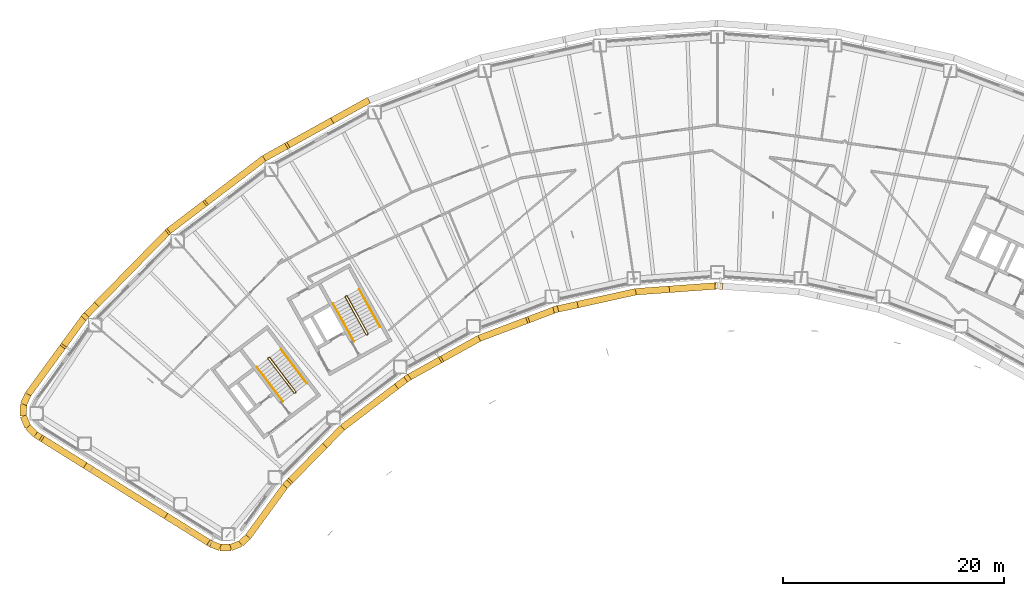
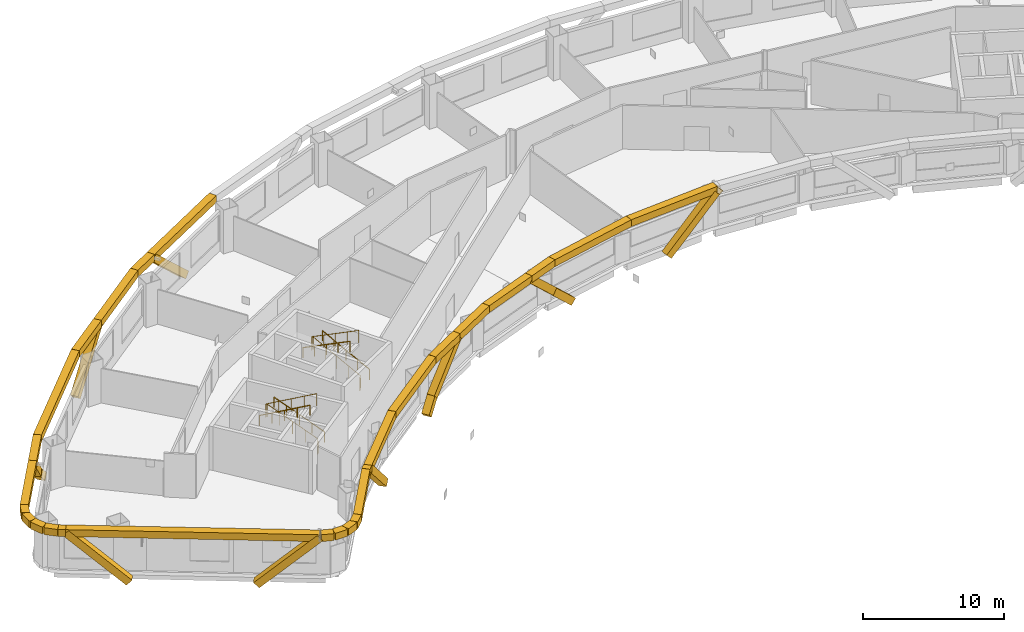
# One storey, part 16 of 19: 40 coverings, 6 railings.
"""IFC4 building model written with IfcOpenShell, lengths in metres."""

from ifc_helpers import new_model, si_unit, direction, frame, origin, origin_2d, place, context, subcontext, project, spatial, rectangle, circle, extrude, material, material_profile, profile_set, type_object, element, save


model = new_model("IFC4")

# Units and contexts
model_context = context("Model", 3, precision=1e-05, world=origin(), true_north=direction((0.0, 1.0)))
body_context = subcontext(model_context, "Body", "Model", "MODEL_VIEW")
ifc_project = project(units=[si_unit("LENGTHUNIT", "METRE"), si_unit("AREAUNIT", "SQUARE_METRE"), si_unit("VOLUMEUNIT", "CUBIC_METRE"), si_unit("PLANEANGLEUNIT", "RADIAN"), si_unit("MASSUNIT", "GRAM", prefix="KILO")], contexts=[model_context])

# Site, building, storey
site_placement = place(None, origin())
site = spatial("IfcSite", under=ifc_project, at=site_placement, CompositionType="ELEMENT")
building_placement = place(site_placement, origin())
building = spatial("IfcBuilding", under=site, at=building_placement, Name="Tuul Gate Civic Tower", CompositionType="ELEMENT")
storey_placement = place(building_placement, frame((0.0, 0.0, 90.60009765625)))
storey = spatial("IfcBuildingStorey", under=building, at=storey_placement, Name="Level 20", CompositionType="ELEMENT", Elevation=90.60009765625)

# Railings
ifc_material_1 = material(Name="Painted steel", Category="steel")
railing_type_1 = type_object("IfcRailingType", Name="Stair guard", PredefinedType="GUARDRAIL", material=ifc_material_1)
railing_1_placement = place(storey_placement, frame((-33.382080078125, -13.515380859375, 0.0)))
element("IfcRailing", 1, at=railing_1_placement, inside=storey, type_object=railing_type_1, Name="Level 20 ST-1 stair guard 1", PredefinedType="GUARDRAIL", context=body_context, shape_type="SweptSolid", body=[
    extrude(circle(Radius=0.02392578125, at=origin_2d()), frame((0.0, 0.0, 1.076171875), z_axis=(-0.795879841968, -0.605454603706, 0.0), x_axis=(0.605454603706, -0.795879841968, 0.0)), (0.0, 0.0, 1.0), 0.10009765625),
    extrude(circle(Radius=0.02392578125, at=origin_2d()), frame((-0.07958984375, -0.060546875, 1.076171875), z_axis=(0.408991890351, 0.599481263939, 0.688002796371), x_axis=(-0.826063974707, 0.563576356576, 0.0)), (0.0, 0.0, 1.0), 0.2177734375),
    extrude(circle(Radius=0.02392578125, at=origin_2d()), frame((0.009521484375, 0.070068359375, 1.22607421875), z_axis=(-0.541824460341, 0.711645023348, 0.447199748346), x_axis=(-0.795637165283, -0.60577347352, 0.0)), (0.0, 0.0, 1.0), 4.3603515625),
    extrude(circle(Radius=0.02392578125, at=origin_2d()), frame((-2.35302734375, 3.173095703125, 3.17578125), z_axis=(-0.990893089246, 0.134650977284, 0.0), x_axis=(-0.134650977284, -0.990893089246, 0.0)), (0.0, 0.0, 1.0), 0.07080078125),
    extrude(circle(Radius=0.02392578125, at=origin_2d()), frame((-2.423095703125, 3.1826171875, 3.17578125), z_axis=(-0.793802879778, -0.60817512943, 0.0), x_axis=(0.60817512943, -0.793802879778, 0.0)), (0.0, 0.0, 1.0), 0.099853515625),
    extrude(circle(Radius=0.02392578125, at=origin_2d()), frame((-2.50244140625, 3.121826171875, 3.17578125), z_axis=(-0.057370624079, -0.422188951554, 0.904690610473), x_axis=(0.990893089246, -0.134650977284, 0.0)), (0.0, 0.0, 1.0), 0.166015625),
    extrude(circle(Radius=0.02392578125, at=origin_2d()), frame((-2.511962890625, 3.0517578125, 3.326171875), z_axis=(0.541806494602, -0.71163897684, 0.447231136047), x_axis=(0.795644365679, 0.605764016233, 0.0)), (0.0, 0.0, 1.0), 4.360107421875),
    extrude(circle(Radius=0.02099609375, at=origin_2d()), origin(), (0.0, 0.0, 1.0), 1.052001953125),
    extrude(circle(Radius=0.02099609375, at=origin_2d()), frame((-0.07958984375, -0.060546875, 0.0)), (0.0, 0.0, 1.0), 1.052001953125),
    extrude(circle(Radius=0.02099609375, at=origin_2d()), frame((0.009521484375, 0.070068359375, 0.14990234375)), (0.0, 0.0, 1.0), 1.052001953125),
    extrude(circle(Radius=0.02099609375, at=origin_2d()), frame((-0.5810546875, 0.845703125, 0.637451171875)), (0.0, 0.0, 1.0), 1.052001953125),
    extrude(circle(Radius=0.02099609375, at=origin_2d()), frame((-1.171875, 1.62158203125, 1.125)), (0.0, 0.0, 1.0), 1.052001953125),
    extrude(circle(Radius=0.02099609375, at=origin_2d()), frame((-1.762451171875, 2.3974609375, 1.6123046875)), (0.0, 0.0, 1.0), 1.052001953125),
    extrude(circle(Radius=0.02099609375, at=origin_2d()), frame((-2.35302734375, 3.173095703125, 2.099853515625)), (0.0, 0.0, 1.0), 1.052001953125),
    extrude(circle(Radius=0.02099609375, at=origin_2d()), frame((-2.423095703125, 3.1826171875, 2.099853515625)), (0.0, 0.0, 1.0), 1.052001953125),
    extrude(circle(Radius=0.02099609375, at=origin_2d()), frame((-2.50244140625, 3.121826171875, 2.099853515625)), (0.0, 0.0, 1.0), 1.052001953125),
    extrude(circle(Radius=0.02099609375, at=origin_2d()), frame((-2.511962890625, 3.0517578125, 2.25)), (0.0, 0.0, 1.0), 1.052001953125),
    extrude(circle(Radius=0.02099609375, at=origin_2d()), frame((-1.92138671875, 2.276123046875, 2.737548828125)), (0.0, 0.0, 1.0), 1.052001953125),
    extrude(circle(Radius=0.02099609375, at=origin_2d()), frame((-1.330810546875, 1.50048828125, 3.22509765625)), (0.0, 0.0, 1.0), 1.052001953125),
    extrude(circle(Radius=0.02099609375, at=origin_2d()), frame((-0.740234375, 0.724609375, 3.71240234375)), (0.0, 0.0, 1.0), 1.052001953125),
    extrude(circle(Radius=0.02099609375, at=origin_2d()), frame((-0.149658203125, -0.051025390625, 4.199951171875)), (0.0, 0.0, 1.0), 1.052001953125),
])
railing_2_placement = place(storey_placement, frame((-26.857666015625, -8.247314453125, 0.0)))
element("IfcRailing", 2, at=railing_2_placement, inside=storey, type_object=railing_type_1, Name="Level 20 ST-2 stair guard 1", PredefinedType="GUARDRAIL", context=body_context, shape_type="SweptSolid", body=[
    extrude(circle(Radius=0.02392578125, at=origin_2d()), frame((0.0, 0.0, 1.076171875), z_axis=(-0.874616555828, -0.48481530532, 0.0), x_axis=(0.48481530532, -0.874616555828, 0.0)), (0.0, 0.0, 1.0), 0.10009765625),
    extrude(circle(Radius=0.02392578125, at=origin_2d()), frame((-0.087646484375, -0.048583984375, 1.076171875), z_axis=(0.49081399482, 0.534516610797, 0.688036056665), x_axis=(-0.736576986774, 0.676353711126, 0.0)), (0.0, 0.0, 1.0), 0.2177734375),
    extrude(circle(Radius=0.02392578125, at=origin_2d()), frame((0.019287109375, 0.06787109375, 1.22607421875), z_axis=(-0.43354991378, 0.782327185242, 0.447212083348), x_axis=(-0.874667644053, -0.484723129681, 0.0)), (0.0, 0.0, 1.0), 4.3603515625),
    extrude(circle(Radius=0.02392578125, at=origin_2d()), frame((-1.87109375, 3.47900390625, 3.17578125), z_axis=(-0.961263487578, 0.275631107549, 0.0), x_axis=(-0.275631107549, -0.961263487578, 0.0)), (0.0, 0.0, 1.0), 0.07080078125),
    extrude(circle(Radius=0.02392578125, at=origin_2d()), frame((-1.939208984375, 3.49853515625, 3.17578125), z_axis=(-0.874042088414, -0.485850211157, 0.0), x_axis=(0.485850211157, -0.874042088414, 0.0)), (0.0, 0.0, 1.0), 0.10009765625),
    extrude(circle(Radius=0.02392578125, at=origin_2d()), frame((-2.026611328125, 3.449951171875, 3.17578125), z_axis=(-0.117709570447, -0.409040757305, 0.904892322815), x_axis=(0.961000426733, -0.276546885391, 0.0)), (0.0, 0.0, 1.0), 0.166015625),
    extrude(circle(Radius=0.02392578125, at=origin_2d()), frame((-2.046142578125, 3.382080078125, 3.326171875), z_axis=(0.433595379963, -0.782308193291, 0.447201226726), x_axis=(0.874641102302, 0.484771020343, 0.0)), (0.0, 0.0, 1.0), 4.3603515625),
    extrude(circle(Radius=0.02099609375, at=origin_2d()), origin(), (0.0, 0.0, 1.0), 1.052001953125),
    extrude(circle(Radius=0.02099609375, at=origin_2d()), frame((-0.087646484375, -0.048583984375, 0.0)), (0.0, 0.0, 1.0), 1.052001953125),
    extrude(circle(Radius=0.02099609375, at=origin_2d()), frame((0.019287109375, 0.06787109375, 0.14990234375)), (0.0, 0.0, 1.0), 1.052001953125),
    extrude(circle(Radius=0.02099609375, at=origin_2d()), frame((-0.453369140625, 0.920654296875, 0.637451171875)), (0.0, 0.0, 1.0), 1.052001953125),
    extrude(circle(Radius=0.02099609375, at=origin_2d()), frame((-0.92578125, 1.7734375, 1.125)), (0.0, 0.0, 1.0), 1.052001953125),
    extrude(circle(Radius=0.02099609375, at=origin_2d()), frame((-1.3984375, 2.626220703125, 1.6123046875)), (0.0, 0.0, 1.0), 1.052001953125),
    extrude(circle(Radius=0.02099609375, at=origin_2d()), frame((-1.87109375, 3.47900390625, 2.099853515625)), (0.0, 0.0, 1.0), 1.052001953125),
    extrude(circle(Radius=0.02099609375, at=origin_2d()), frame((-1.939208984375, 3.49853515625, 2.099853515625)), (0.0, 0.0, 1.0), 1.052001953125),
    extrude(circle(Radius=0.02099609375, at=origin_2d()), frame((-2.026611328125, 3.449951171875, 2.099853515625)), (0.0, 0.0, 1.0), 1.052001953125),
    extrude(circle(Radius=0.02099609375, at=origin_2d()), frame((-2.046142578125, 3.382080078125, 2.25)), (0.0, 0.0, 1.0), 1.052001953125),
    extrude(circle(Radius=0.02099609375, at=origin_2d()), frame((-1.573486328125, 2.529296875, 2.737548828125)), (0.0, 0.0, 1.0), 1.052001953125),
    extrude(circle(Radius=0.02099609375, at=origin_2d()), frame((-1.100830078125, 1.676513671875, 3.22509765625)), (0.0, 0.0, 1.0), 1.052001953125),
    extrude(circle(Radius=0.02099609375, at=origin_2d()), frame((-0.628173828125, 0.82373046875, 3.71240234375)), (0.0, 0.0, 1.0), 1.052001953125),
    extrude(circle(Radius=0.02099609375, at=origin_2d()), frame((-0.155517578125, -0.029052734375, 4.199951171875)), (0.0, 0.0, 1.0), 1.052001953125),
])
ifc_material_2 = material(Name="Painted steel", Category="steel")
railing_type_2 = type_object("IfcRailingType", Name="Stair handrail", PredefinedType="HANDRAIL", material=ifc_material_2)
railing_3_placement = place(storey_placement, frame((-32.3779296875, -12.688232421875, 0.14990234375)))
element("IfcRailing", 3, at=railing_3_placement, inside=storey, type_object=railing_type_2, Name="Level 20 ST-1 stair handrail 1", PredefinedType="HANDRAIL", context=body_context, shape_type="SweptSolid", body=[
    extrude(circle(Radius=0.02392578125, at=origin_2d()), frame((0.0, 0.0, 0.8759765625), z_axis=(-0.541824460341, 0.711645023348, 0.447199748346), x_axis=(-0.795637165283, -0.60577347352, 0.0)), (0.0, 0.0, 1.0), 4.3603515625),
    extrude(circle(Radius=0.02099609375, at=origin_2d()), origin(), (0.0, 0.0, 1.0), 0.851806640625),
    extrude(circle(Radius=0.02099609375, at=origin_2d()), frame((-0.590576171875, 0.77587890625, 0.487548828125)), (0.0, 0.0, 1.0), 0.851806640625),
    extrude(circle(Radius=0.02099609375, at=origin_2d()), frame((-1.18115234375, 1.551513671875, 0.97509765625)), (0.0, 0.0, 1.0), 0.851806640625),
    extrude(circle(Radius=0.02099609375, at=origin_2d()), frame((-1.77197265625, 2.3271484375, 1.46240234375)), (0.0, 0.0, 1.0), 0.851806640625),
    extrude(circle(Radius=0.02099609375, at=origin_2d()), frame((-2.362548828125, 3.10302734375, 1.949951171875)), (0.0, 0.0, 1.0), 0.851806640625),
])
railing_4_placement = place(storey_placement, frame((-36.888671875, -11.220703125, 2.25)))
element("IfcRailing", 4, at=railing_4_placement, inside=storey, type_object=railing_type_2, Name="Level 20 ST-1 stair handrail 2", PredefinedType="HANDRAIL", context=body_context, shape_type="SweptSolid", body=[
    extrude(circle(Radius=0.02392578125, at=origin_2d()), frame((0.0, 0.0, 0.8759765625), z_axis=(0.541824460341, -0.711645023348, 0.447199748346), x_axis=(0.795637165283, 0.60577347352, 0.0)), (0.0, 0.0, 1.0), 4.3603515625),
    extrude(circle(Radius=0.02099609375, at=origin_2d()), origin(), (0.0, 0.0, 1.0), 0.851806640625),
    extrude(circle(Radius=0.02099609375, at=origin_2d()), frame((0.590576171875, -0.77587890625, 0.487548828125)), (0.0, 0.0, 1.0), 0.851806640625),
    extrude(circle(Radius=0.02099609375, at=origin_2d()), frame((1.18115234375, -1.551513671875, 0.97509765625)), (0.0, 0.0, 1.0), 0.851806640625),
    extrude(circle(Radius=0.02099609375, at=origin_2d()), frame((1.77197265625, -2.3271484375, 1.46240234375)), (0.0, 0.0, 1.0), 0.851806640625),
    extrude(circle(Radius=0.02099609375, at=origin_2d()), frame((2.362548828125, -3.10302734375, 1.949951171875)), (0.0, 0.0, 1.0), 0.851806640625),
])
railing_5_placement = place(storey_placement, frame((-25.744873046875, -7.573486328125, 0.14990234375)))
element("IfcRailing", 5, at=railing_5_placement, inside=storey, type_object=railing_type_2, Name="Level 20 ST-2 stair handrail 1", PredefinedType="HANDRAIL", context=body_context, shape_type="SweptSolid", body=[
    extrude(circle(Radius=0.02392578125, at=origin_2d()), frame((0.0, 0.0, 0.8759765625), z_axis=(-0.433595379963, 0.782308193291, 0.447201226726), x_axis=(-0.874641102302, -0.484771020343, 0.0)), (0.0, 0.0, 1.0), 4.3603515625),
    extrude(circle(Radius=0.02099609375, at=origin_2d()), origin(), (0.0, 0.0, 1.0), 0.851806640625),
    extrude(circle(Radius=0.02099609375, at=origin_2d()), frame((-0.47265625, 0.852783203125, 0.487548828125)), (0.0, 0.0, 1.0), 0.851806640625),
    extrude(circle(Radius=0.02099609375, at=origin_2d()), frame((-0.9453125, 1.70556640625, 0.97509765625)), (0.0, 0.0, 1.0), 0.851806640625),
    extrude(circle(Radius=0.02099609375, at=origin_2d()), frame((-1.41796875, 2.558349609375, 1.46240234375)), (0.0, 0.0, 1.0), 0.851806640625),
    extrude(circle(Radius=0.02099609375, at=origin_2d()), frame((-1.890625, 3.4111328125, 1.949951171875)), (0.0, 0.0, 1.0), 0.851806640625),
])
railing_6_placement = place(storey_placement, frame((-29.9970703125, -5.47119140625, 2.25)))
element("IfcRailing", 6, at=railing_6_placement, inside=storey, type_object=railing_type_2, Name="Level 20 ST-2 stair handrail 2", PredefinedType="HANDRAIL", context=body_context, shape_type="SweptSolid", body=[
    extrude(circle(Radius=0.02392578125, at=origin_2d()), frame((0.0, 0.0, 0.8759765625), z_axis=(0.433595379963, -0.782308193291, 0.447201226726), x_axis=(0.874641102302, 0.484771020343, 0.0)), (0.0, 0.0, 1.0), 4.3603515625),
    extrude(circle(Radius=0.02099609375, at=origin_2d()), origin(), (0.0, 0.0, 1.0), 0.851806640625),
    extrude(circle(Radius=0.02099609375, at=origin_2d()), frame((0.47265625, -0.852783203125, 0.487548828125)), (0.0, 0.0, 1.0), 0.851806640625),
    extrude(circle(Radius=0.02099609375, at=origin_2d()), frame((0.9453125, -1.70556640625, 0.97509765625)), (0.0, 0.0, 1.0), 0.851806640625),
    extrude(circle(Radius=0.02099609375, at=origin_2d()), frame((1.41796875, -2.558349609375, 1.46240234375)), (0.0, 0.0, 1.0), 0.851806640625),
    extrude(circle(Radius=0.02099609375, at=origin_2d()), frame((1.890625, -3.4111328125, 1.949951171875)), (0.0, 0.0, 1.0), 0.851806640625),
])

# Coverings
ifc_material_3 = material(Name="Terracotta baguette", Category="masonry")
ifc_material_profile = material_profile(ifc_material_3, rectangle(XDim=0.60009765625, YDim=0.60009765625, at=origin_2d()), Name="Terracotta baguette screen frame")
ifc_profile_set = profile_set([ifc_material_profile], Name="Terracotta baguette")
covering_type = type_object("IfcCoveringType", Name="Terracotta baguette screen frame", PredefinedType="CLADDING", material=ifc_profile_set)
covering_1_placement = place(storey_placement, frame((-30.263916015625, 11.0107421875, -0.35009765625), z_axis=(-0.641784666294, -0.355744032612, 0.679381060504), x_axis=(0.484806475071, -0.874621450531, 0.0)))
element("IfcCovering", 7, at=covering_1_placement, inside=storey, type_object=covering_type, Name="Baguette 104", PredefinedType="CLADDING", context=body_context, shape_type="SweptSolid", body=[
    extrude(rectangle(XDim=0.60009765625, YDim=0.60009765625, at=origin_2d()), origin(), (0.0, 0.0, 1.0), 6.18212890625),
])
covering_2_placement = place(storey_placement, frame((-34.2314453125, 8.8115234375, 3.849853515625), z_axis=(-0.874665229459, -0.484727486714, 0.0), x_axis=(0.484727486714, -0.874665229459, 0.0)))
element("IfcCovering", 8, at=covering_2_placement, inside=storey, type_object=covering_type, Name="Baguette 109", PredefinedType="CLADDING", context=body_context, shape_type="SweptSolid", body=[
    extrude(rectangle(XDim=0.60009765625, YDim=0.60009765625, at=origin_2d()), origin(), (0.0, 0.0, 1.0), 2.310302734375),
])
covering_3_placement = place(storey_placement, frame((-36.252197265625, 7.691650390625, 3.849853515625), z_axis=(-0.795611536996, -0.60580713284, 0.0), x_axis=(0.60580713284, -0.795611536996, 0.0)))
element("IfcCovering", 9, at=covering_3_placement, inside=storey, type_object=covering_type, Name="Baguette 110", PredefinedType="CLADDING", context=body_context, shape_type="SweptSolid", body=[
    extrude(rectangle(XDim=0.60009765625, YDim=0.60009765625, at=origin_2d()), origin(), (0.0, 0.0, 1.0), 6.761962890625),
])
covering_4_placement = place(storey_placement, frame((-41.632080078125, 3.59521484375, 3.849853515625), z_axis=(-0.583799157746, -0.444530245659, -0.67939046513), x_axis=(0.605811142547, -0.795608483845, 0.0)))
element("IfcCovering", 10, at=covering_4_placement, inside=storey, type_object=covering_type, Name="Baguette 113", PredefinedType="CLADDING", context=body_context, shape_type="SweptSolid", body=[
    extrude(rectangle(XDim=0.60009765625, YDim=0.60009765625, at=origin_2d()), origin(), (0.0, 0.0, 1.0), 5.57275390625),
])
covering_5_placement = place(storey_placement, frame((-51.549560546875, -5.679931640625, -0.35009765625), z_axis=(-0.513696878917, -0.524056925978, 0.679323085818), x_axis=(0.714130345586, -0.700012749537, 0.0)))
element("IfcCovering", 11, at=covering_5_placement, inside=storey, type_object=covering_type, Name="Baguette 127", PredefinedType="CLADDING", context=body_context, shape_type="SweptSolid", body=[
    extrude(rectangle(XDim=0.60009765625, YDim=0.60009765625, at=origin_2d()), origin(), (0.0, 0.0, 1.0), 1.814453125),
])
covering_6_placement = place(storey_placement, frame((-52.481689453125, -6.630859375, 0.882568359375), z_axis=(-0.433757822555, -0.593971160432, 0.677534067001), x_axis=(0.807584108669, -0.589752411971, 0.0)))
element("IfcCovering", 12, at=covering_6_placement, inside=storey, type_object=covering_type, Name="Baguette 128", PredefinedType="CLADDING", context=body_context, shape_type="SweptSolid", body=[
    extrude(rectangle(XDim=0.60009765625, YDim=0.60009765625, at=origin_2d()), origin(), (0.0, 0.0, 1.0), 4.379638671875),
])
covering_7_placement = place(storey_placement, frame((-54.38134765625, -9.232177734375, 3.849853515625), z_axis=(-0.589750135482, -0.80758577111, 0.0), x_axis=(0.80758577111, -0.589750135482, 0.0)))
element("IfcCovering", 13, at=covering_7_placement, inside=storey, type_object=covering_type, Name="Baguette 141", PredefinedType="CLADDING", context=body_context, shape_type="SweptSolid", body=[
    extrude(rectangle(XDim=0.60009765625, YDim=0.60009765625, at=origin_2d()), origin(), (0.0, 0.0, 1.0), 5.51416015625),
])
covering_8_placement = place(storey_placement, frame((-57.63330078125, -13.685302734375, 3.849853515625), z_axis=(-0.412348754484, -0.911026072445, 0.0), x_axis=(0.911026072445, -0.412348754484, 0.0)))
element("IfcCovering", 14, at=covering_8_placement, inside=storey, type_object=covering_type, Name="Baguette 142", PredefinedType="CLADDING", context=body_context, shape_type="SweptSolid", body=[
    extrude(rectangle(XDim=0.60009765625, YDim=0.60009765625, at=origin_2d()), origin(), (0.0, 0.0, 1.0), 0.987060546875),
])
for number, where, z_axis, x_axis, name in (
    (15, (-58.040283203125, -14.58447265625, 3.849853515625), (-0.016005267214, -0.999871907507, 0.0), (0.999871907507, -0.016005267214, 0.0), "Baguette 143"),
    (16, (-58.057373046875, -15.652099609375, 3.849853515625), (0.386870941786, -0.922133870109, 0.0), (0.922133870109, 0.386870941786, 0.0), "Baguette 144"),
):
    element("IfcCovering", number, at=place(storey_placement, frame(where, z_axis=z_axis, x_axis=x_axis)), inside=storey, type_object=covering_type, Name=name, PredefinedType="CLADDING", context=body_context, shape_type="SweptSolid", body=[
        extrude(rectangle(XDim=0.60009765625, YDim=0.60009765625, at=origin_2d()), origin(), (0.0, 0.0, 1.0), 1.06787109375),
    ])
covering_9_placement = place(storey_placement, frame((-57.644287109375, -16.63671875, 3.849853515625), z_axis=(0.72214250975, -0.691744313755, 0.0), x_axis=(0.691744313755, 0.72214250975, 0.0)))
element("IfcCovering", 17, at=covering_9_placement, inside=storey, type_object=covering_type, Name="Baguette 145", PredefinedType="CLADDING", context=body_context, shape_type="SweptSolid", body=[
    extrude(rectangle(XDim=0.60009765625, YDim=0.60009765625, at=origin_2d()), origin(), (0.0, 0.0, 1.0), 0.98779296875),
])
covering_10_placement = place(storey_placement, frame((-56.930908203125, -17.320068359375, 3.849853515625), z_axis=(0.848075017606, -0.529876178472, 0.0), x_axis=(0.529876178472, 0.848075017606, 0.0)))
element("IfcCovering", 18, at=covering_10_placement, inside=storey, type_object=covering_type, Name="Baguette 146", PredefinedType="CLADDING", context=body_context, shape_type="SweptSolid", body=[
    extrude(rectangle(XDim=0.60009765625, YDim=0.60009765625, at=origin_2d()), origin(), (0.0, 0.0, 1.0), 0.536376953125),
])
for number, where, z_axis, x_axis, name in (
    (19, (-56.47607421875, -17.604248046875, 3.849853515625), (0.621682648798, -0.388452812544, -0.680158140884), (0.529901976461, 0.848058898511, 0.0), "Baguette 148"),
    (20, (-44.9599609375, -24.80029296875, -0.35009765625), (0.621682648798, -0.388452812544, 0.680158140884), (0.529901976461, 0.848058898511, 0.0), "Baguette 156"),
):
    element("IfcCovering", number, at=place(storey_placement, frame(where, z_axis=z_axis, x_axis=x_axis)), inside=storey, type_object=covering_type, Name=name, PredefinedType="CLADDING", context=body_context, shape_type="SweptSolid", body=[
        extrude(rectangle(XDim=0.60009765625, YDim=0.60009765625, at=origin_2d()), origin(), (0.0, 0.0, 1.0), 6.175048828125),
    ])
covering_11_placement = place(storey_placement, frame((-41.07568359375, -27.227294921875, 3.849853515625), z_axis=(0.931801188997, -0.362969067807, 0.0), x_axis=(0.362969067807, 0.931801188997, 0.0)))
element("IfcCovering", 21, at=covering_11_placement, inside=storey, type_object=covering_type, Name="Baguette 172", PredefinedType="CLADDING", context=body_context, shape_type="SweptSolid", body=[
    extrude(rectangle(XDim=0.60009765625, YDim=0.60009765625, at=origin_2d()), origin(), (0.0, 0.0, 1.0), 0.9013671875),
])
covering_12_placement = place(storey_placement, frame((-40.23583984375, -27.554443359375, 3.849853515625), z_axis=(0.999995475178, 0.003008259138, 0.0), x_axis=(-0.003008259138, 0.999995475178, 0.0)))
element("IfcCovering", 22, at=covering_12_placement, inside=storey, type_object=covering_type, Name="Baguette 173", PredefinedType="CLADDING", context=body_context, shape_type="SweptSolid", body=[
    extrude(rectangle(XDim=0.60009765625, YDim=0.60009765625, at=origin_2d()), origin(), (0.0, 0.0, 1.0), 0.973876953125),
])
covering_13_placement = place(storey_placement, frame((-39.261962890625, -27.551513671875, 3.849853515625), z_axis=(0.929012088732, 0.370049373719, 0.0), x_axis=(-0.370049373719, 0.929012088732, 0.0)))
element("IfcCovering", 23, at=covering_13_placement, inside=storey, type_object=covering_type, Name="Baguette 174", PredefinedType="CLADDING", context=body_context, shape_type="SweptSolid", body=[
    extrude(rectangle(XDim=0.60009765625, YDim=0.60009765625, at=origin_2d()), origin(), (0.0, 0.0, 1.0), 0.97314453125),
])
covering_14_placement = place(storey_placement, frame((-38.35791015625, -27.19140625, 3.849853515625), z_axis=(0.729883388516, 0.68357167815, 0.0), x_axis=(-0.68357167815, 0.729883388516, 0.0)))
element("IfcCovering", 24, at=covering_14_placement, inside=storey, type_object=covering_type, Name="Baguette 175", PredefinedType="CLADDING", context=body_context, shape_type="SweptSolid", body=[
    extrude(rectangle(XDim=0.60009765625, YDim=0.60009765625, at=origin_2d()), origin(), (0.0, 0.0, 1.0), 0.9013671875),
])
covering_15_placement = place(storey_placement, frame((-37.699951171875, -26.5751953125, 3.849853515625), z_axis=(0.589729447422, 0.807600878432, 0.0), x_axis=(-0.807600878432, 0.589729447422, 0.0)))
element("IfcCovering", 25, at=covering_15_placement, inside=storey, type_object=covering_type, Name="Baguette 176", PredefinedType="CLADDING", context=body_context, shape_type="SweptSolid", body=[
    extrude(rectangle(XDim=0.60009765625, YDim=0.60009765625, at=origin_2d()), origin(), (0.0, 0.0, 1.0), 5.671142578125),
])
covering_16_placement = place(storey_placement, frame((-34.35546875, -21.9951171875, 3.849853515625), z_axis=(0.700372885363, 0.713777151111, 0.0), x_axis=(-0.713777151111, 0.700372885363, 0.0)))
element("IfcCovering", 26, at=covering_16_placement, inside=storey, type_object=covering_type, Name="Baguette 177", PredefinedType="CLADDING", context=body_context, shape_type="SweptSolid", body=[
    extrude(rectangle(XDim=0.60009765625, YDim=0.60009765625, at=origin_2d()), origin(), (0.0, 0.0, 1.0), 0.510009765625),
])
covering_17_placement = place(storey_placement, frame((-33.998291015625, -21.631103515625, 3.849853515625), z_axis=(0.507841276183, 0.517964491033, -0.688338597083), x_axis=(-0.714050130155, 0.700094573344, 0.0)))
element("IfcCovering", 27, at=covering_17_placement, inside=storey, type_object=covering_type, Name="Baguette 179", PredefinedType="CLADDING", context=body_context, shape_type="SweptSolid", body=[
    extrude(rectangle(XDim=0.60009765625, YDim=0.60009765625, at=origin_2d()), origin(), (0.0, 0.0, 1.0), 6.1015625),
])
covering_18_placement = place(storey_placement, frame((-24.09423828125, -12.83935546875, -0.35009765625), z_axis=(0.57698676308, 0.439544560213, 0.688394403534), x_axis=(-0.605987035724, 0.795474520356, 0.0)))
element("IfcCovering", 28, at=covering_18_placement, inside=storey, type_object=covering_type, Name="Baguette 192", PredefinedType="CLADDING", context=body_context, shape_type="SweptSolid", body=[
    extrude(rectangle(XDim=0.60009765625, YDim=0.60009765625, at=origin_2d()), origin(), (0.0, 0.0, 1.0), 1.444091796875),
])
covering_19_placement = place(storey_placement, frame((-23.260986328125, -12.20458984375, 0.64404296875), z_axis=(0.634473703614, 0.351675816057, 0.688307518354), x_axis=(-0.48478990003, 0.874630637943, 0.0)))
element("IfcCovering", 29, at=covering_19_placement, inside=storey, type_object=covering_type, Name="Baguette 193", PredefinedType="CLADDING", context=body_context, shape_type="SweptSolid", body=[
    extrude(rectangle(XDim=0.60009765625, YDim=0.60009765625, at=origin_2d()), origin(), (0.0, 0.0, 1.0), 4.657470703125),
])
covering_20_placement = place(storey_placement, frame((-20.305908203125, -10.566650390625, 3.849853515625), z_axis=(0.874630119213, 0.484790835893, 0.0), x_axis=(-0.484790835893, 0.874630119213, 0.0)))
element("IfcCovering", 30, at=covering_20_placement, inside=storey, type_object=covering_type, Name="Baguette 198", PredefinedType="CLADDING", context=body_context, shape_type="SweptSolid", body=[
    extrude(rectangle(XDim=0.60009765625, YDim=0.60009765625, at=origin_2d()), origin(), (0.0, 0.0, 1.0), 4.039306640625),
])
covering_21_placement = place(storey_placement, frame((-16.77294921875, -8.6083984375, 3.849853515625), z_axis=(0.935356130201, 0.353707378628, 0.0), x_axis=(-0.353707378628, 0.935356130201, 0.0)))
element("IfcCovering", 31, at=covering_21_placement, inside=storey, type_object=covering_type, Name="Baguette 199", PredefinedType="CLADDING", context=body_context, shape_type="SweptSolid", body=[
    extrude(rectangle(XDim=0.60009765625, YDim=0.60009765625, at=origin_2d()), origin(), (0.0, 0.0, 1.0), 4.812255859375),
])
covering_22_placement = place(storey_placement, frame((-12.271728515625, -6.90625, 3.849853515625), z_axis=(0.678523945568, 0.256578973707, -0.688311328936), x_axis=(-0.353699371155, 0.935359158209, 0.0)))
element("IfcCovering", 32, at=covering_22_placement, inside=storey, type_object=covering_type, Name="Baguette 202", PredefinedType="CLADDING", context=body_context, shape_type="SweptSolid", body=[
    extrude(rectangle(XDim=0.60009765625, YDim=0.60009765625, at=origin_2d()), origin(), (0.0, 0.0, 1.0), 3.592041015625),
])
covering_23_placement = place(storey_placement, frame((-9.83447265625, -5.984619140625, 1.37744140625), z_axis=(0.708345056484, 0.15604799761, -0.688401266266), x_axis=(-0.215140673353, 0.976583069006, 0.0)))
element("IfcCovering", 33, at=covering_23_placement, inside=storey, type_object=covering_type, Name="Baguette 203", PredefinedType="CLADDING", context=body_context, shape_type="SweptSolid", body=[
    extrude(rectangle(XDim=0.60009765625, YDim=0.60009765625, at=origin_2d()), origin(), (0.0, 0.0, 1.0), 2.509521484375),
])
covering_24_placement = place(storey_placement, frame((0.655517578125, -4.15283203125, -0.35009765625), z_axis=(0.723483759408, 0.052403550567, 0.688349560733), x_axis=(-0.072242980808, 0.99738706214, 0.0)))
element("IfcCovering", 34, at=covering_24_placement, inside=storey, type_object=covering_type, Name="Baguette 218", PredefinedType="CLADDING", context=body_context, shape_type="SweptSolid", body=[
    extrude(rectangle(XDim=0.60009765625, YDim=0.60009765625, at=origin_2d()), origin(), (0.0, 0.0, 1.0), 5.73974609375),
])
covering_25_placement = place(storey_placement, frame((4.80810546875, -3.85205078125, 3.600830078125), z_axis=(0.723480414727, -0.051966410386, 0.688386215505), x_axis=(0.071643779634, 0.997430282696, 0.0)))
element("IfcCovering", 35, at=covering_25_placement, inside=storey, type_object=covering_type, Name="Baguette 219", PredefinedType="CLADDING", context=body_context, shape_type="SweptSolid", body=[
    extrude(rectangle(XDim=0.60009765625, YDim=0.60009765625, at=origin_2d()), origin(), (0.0, 0.0, 1.0), 0.36181640625),
])
covering_26_placement = place(storey_placement, frame((-26.760986328125, 12.952392578125, 3.849853515625), z_axis=(-0.874623375434, -0.484803002409, 0.0), x_axis=(0.484803002409, -0.874623375434, 0.0)))
element("IfcCovering", 36, at=covering_26_placement, inside=storey, type_object=covering_type, Name="Baguette 418", PredefinedType="CLADDING", context=body_context, shape_type="SweptSolid", body=[
    extrude(rectangle(XDim=0.60009765625, YDim=0.60009765625, at=origin_2d()), origin(), (0.0, 0.0, 1.0), 8.541259765625),
])
covering_27_placement = place(storey_placement, frame((-41.632080078125, 3.59521484375, 3.849853515625), z_axis=(-0.795608483845, -0.605811142547, 0.0), x_axis=(0.605811142547, -0.795608483845, 0.0)))
element("IfcCovering", 37, at=covering_27_placement, inside=storey, type_object=covering_type, Name="Baguette 419", PredefinedType="CLADDING", context=body_context, shape_type="SweptSolid", body=[
    extrude(rectangle(XDim=0.60009765625, YDim=0.60009765625, at=origin_2d()), origin(), (0.0, 0.0, 1.0), 4.089111328125),
])
covering_28_placement = place(storey_placement, frame((-44.885498046875, 1.117919921875, 3.849853515625), z_axis=(-0.700040817339, -0.714102831572, 0.0), x_axis=(0.714102831572, -0.700040817339, 0.0)))
element("IfcCovering", 38, at=covering_28_placement, inside=storey, type_object=covering_type, Name="Baguette 420", PredefinedType="CLADDING", context=body_context, shape_type="SweptSolid", body=[
    extrude(rectangle(XDim=0.60009765625, YDim=0.60009765625, at=origin_2d()), origin(), (0.0, 0.0, 1.0), 10.85107421875),
])
covering_29_placement = place(storey_placement, frame((-52.481689453125, -6.630859375, 3.849853515625), z_axis=(-0.589752411971, -0.807584108669, 0.0), x_axis=(0.807584108669, -0.589752411971, 0.0)))
element("IfcCovering", 39, at=covering_29_placement, inside=storey, type_object=covering_type, Name="Baguette 421", PredefinedType="CLADDING", context=body_context, shape_type="SweptSolid", body=[
    extrude(rectangle(XDim=0.60009765625, YDim=0.60009765625, at=origin_2d()), origin(), (0.0, 0.0, 1.0), 3.22119140625),
])
covering_30_placement = place(storey_placement, frame((-56.47607421875, -17.604248046875, 3.849853515625), z_axis=(0.848051326016, -0.529914095342, 0.0), x_axis=(0.529914095342, 0.848051326016, 0.0)))
element("IfcCovering", 40, at=covering_30_placement, inside=storey, type_object=covering_type, Name="Baguette 422", PredefinedType="CLADDING", context=body_context, shape_type="SweptSolid", body=[
    extrude(rectangle(XDim=0.60009765625, YDim=0.60009765625, at=origin_2d()), origin(), (0.0, 0.0, 1.0), 18.106201171875),
])
covering_31_placement = place(storey_placement, frame((-33.998291015625, -21.631103515625, 3.849853515625), z_axis=(0.700091906079, 0.71405274528, 0.0), x_axis=(-0.71405274528, 0.700091906079, 0.0)))
element("IfcCovering", 41, at=covering_31_placement, inside=storey, type_object=covering_type, Name="Baguette 423", PredefinedType="CLADDING", context=body_context, shape_type="SweptSolid", body=[
    extrude(rectangle(XDim=0.60009765625, YDim=0.60009765625, at=origin_2d()), origin(), (0.0, 0.0, 1.0), 6.907470703125),
])
covering_32_placement = place(storey_placement, frame((-29.162353515625, -16.69873046875, 3.849853515625), z_axis=(0.795570717168, 0.605860738111, 0.0), x_axis=(-0.605860738111, 0.795570717168, 0.0)))
element("IfcCovering", 42, at=covering_32_placement, inside=storey, type_object=covering_type, Name="Baguette 424", PredefinedType="CLADDING", context=body_context, shape_type="SweptSolid", body=[
    extrude(rectangle(XDim=0.60009765625, YDim=0.60009765625, at=origin_2d()), origin(), (0.0, 0.0, 1.0), 7.417724609375),
])
covering_33_placement = place(storey_placement, frame((-23.260986328125, -12.20458984375, 3.849853515625), z_axis=(0.874630637943, 0.48478990003, 0.0), x_axis=(-0.48478990003, 0.874630637943, 0.0)))
element("IfcCovering", 43, at=covering_33_placement, inside=storey, type_object=covering_type, Name="Baguette 425", PredefinedType="CLADDING", context=body_context, shape_type="SweptSolid", body=[
    extrude(rectangle(XDim=0.60009765625, YDim=0.60009765625, at=origin_2d()), origin(), (0.0, 0.0, 1.0), 3.378662109375),
])
covering_34_placement = place(storey_placement, frame((-12.271728515625, -6.90625, 3.849853515625), z_axis=(0.935359158209, 0.353699371155, 0.0), x_axis=(-0.353699371155, 0.935359158209, 0.0)))
element("IfcCovering", 44, at=covering_34_placement, inside=storey, type_object=covering_type, Name="Baguette 426", PredefinedType="CLADDING", context=body_context, shape_type="SweptSolid", body=[
    extrude(rectangle(XDim=0.60009765625, YDim=0.60009765625, at=origin_2d()), origin(), (0.0, 0.0, 1.0), 2.605712890625),
])
covering_35_placement = place(storey_placement, frame((-9.83447265625, -5.984619140625, 3.849853515625), z_axis=(0.976565804128, 0.215219028452, 0.0), x_axis=(-0.215219028452, 0.976565804128, 0.0)))
element("IfcCovering", 45, at=covering_35_placement, inside=storey, type_object=covering_type, Name="Baguette 427", PredefinedType="CLADDING", context=body_context, shape_type="SweptSolid", body=[
    extrude(rectangle(XDim=0.60009765625, YDim=0.60009765625, at=origin_2d()), origin(), (0.0, 0.0, 1.0), 7.417724609375),
])
covering_36_placement = place(storey_placement, frame((-2.590576171875, -4.38818359375, 3.849853515625), z_axis=(0.997384830366, 0.072273786091, 0.0), x_axis=(-0.072273786091, 0.997384830366, 0.0)))
element("IfcCovering", 46, at=covering_36_placement, inside=storey, type_object=covering_type, Name="Baguette 428", PredefinedType="CLADDING", context=body_context, shape_type="SweptSolid", body=[
    extrude(rectangle(XDim=0.60009765625, YDim=0.60009765625, at=origin_2d()), origin(), (0.0, 0.0, 1.0), 7.41796875),
])

save(model, "model.ifc")
